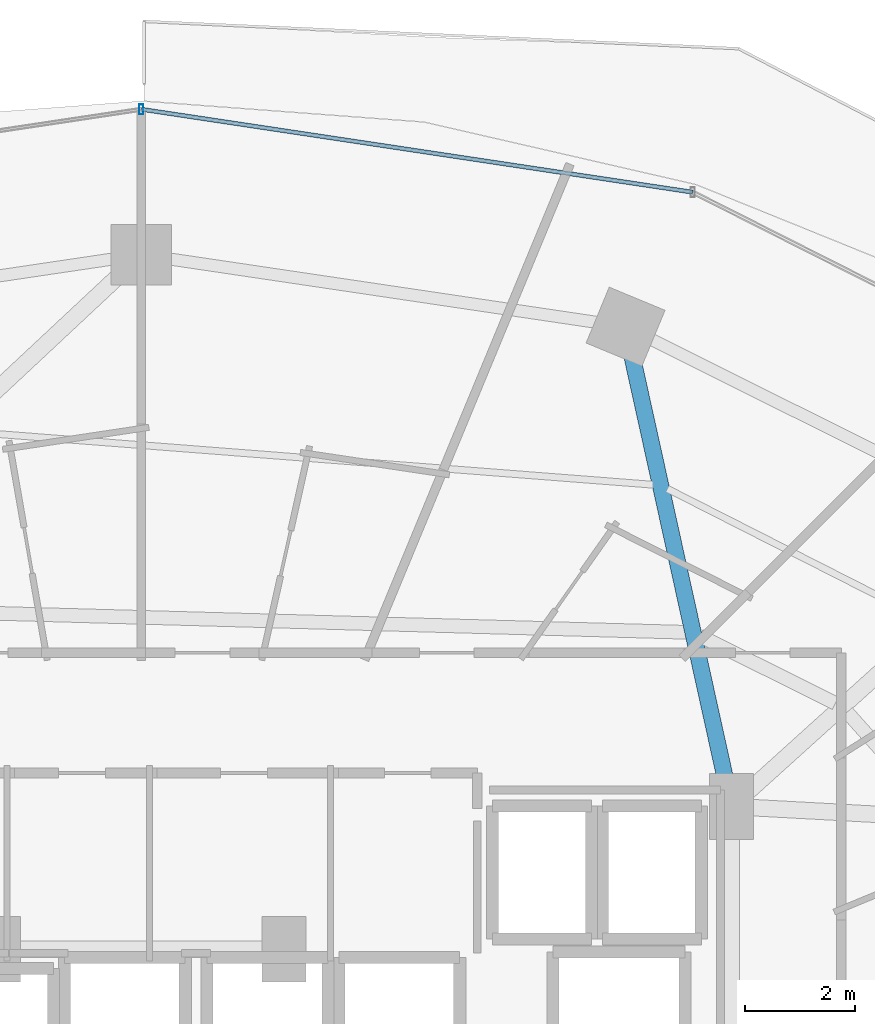
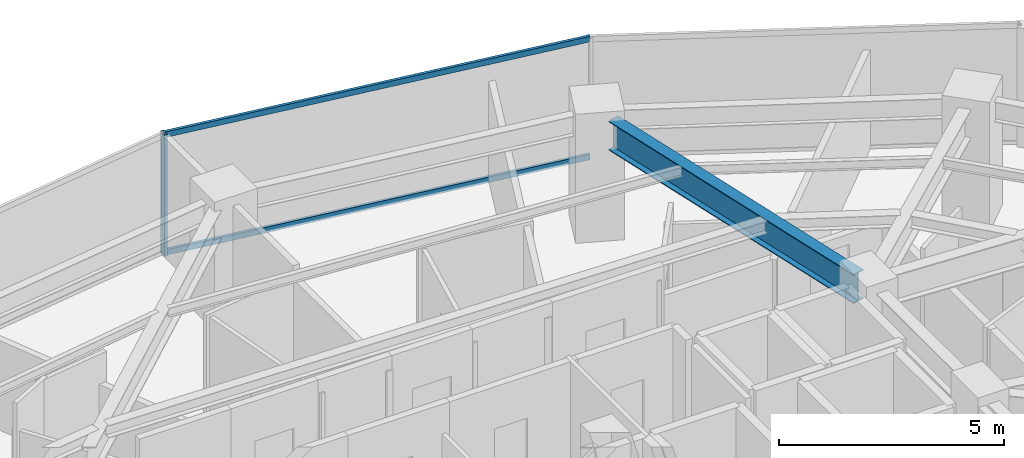
# One storey, part 21 of 31: 3 members, 1 beam, 1 element without a shape of its own.
"""IFC4 building model written with IfcOpenShell, lengths in metres."""

from ifc_helpers import new_model, si_unit, direction, frame, origin, origin_2d, place, context, subcontext, project, spatial, hollow_rectangle, i_section, extrude, material, material_profile, profile_set, type_object, element, aggregate, save


model = new_model("IFC4")

# Units and contexts
model_context = context("Model", 3, precision=1e-05, world=origin(), true_north=direction((0.0, 1.0)))
body_context = subcontext(model_context, "Body", "Model", "MODEL_VIEW")
ifc_project = project(units=[si_unit("LENGTHUNIT", "METRE"), si_unit("AREAUNIT", "SQUARE_METRE"), si_unit("VOLUMEUNIT", "CUBIC_METRE"), si_unit("PLANEANGLEUNIT", "RADIAN"), si_unit("MASSUNIT", "GRAM", prefix="KILO")], contexts=[model_context])

# Site, building, storey
site_placement = place(None, origin())
site = spatial("IfcSite", under=ifc_project, at=site_placement, CompositionType="ELEMENT")
building_placement = place(site_placement, origin())
building = spatial("IfcBuilding", under=site, at=building_placement, Name="Vorneva Point Tower", CompositionType="ELEMENT")
storey_placement = place(building_placement, frame((0.0, 0.0, 103.300048828125)))
storey = spatial("IfcBuildingStorey", under=building, at=storey_placement, Name="L27", CompositionType="ELEMENT", Elevation=103.300048828125)

# Beam
ifc_material_1 = material(Name="Steel S355", Category="steel")
ifc_material_profile_1 = material_profile(ifc_material_1, i_section(OverallWidth=0.300048828125, OverallDepth=0.7880859375, WebThickness=0.014404296875, FlangeThickness=0.02197265625, at=origin_2d()), Name="80Sh1")
ifc_profile_set_1 = profile_set([ifc_material_profile_1], Name="Steel S355")
beam_type = type_object("IfcBeamType", Name="BM-GRD-80Sh1", PredefinedType="USERDEFINED", material=ifc_profile_set_1)
beam_placement = place(storey_placement, frame((46.936767578125, 41.365234375, 2.845947265625), z_axis=(0.215530944428, -0.976497010745, 0.0), x_axis=(0.976497010745, 0.215530944428, 0.0)))
element("IfcBeam", 1, at=beam_placement, inside=storey, type_object=beam_type, Name="L27 Radial Primary Girder 04", ObjectType="GIRDER", PredefinedType="USERDEFINED", context=body_context, shape_type="SweptSolid", body=[
    extrude(i_section(OverallWidth=0.300048828125, OverallDepth=0.7880859375, WebThickness=0.014404296875, FlangeThickness=0.02197265625, at=origin_2d()), origin(), (0.0, 0.0, 1.0), 8.072998046875),
])

# Curtain wall, members
ifc_material_2 = material(Name="Pale anodised aluminium", Category="aluminium")
curtain_wall_type = type_object("IfcCurtainWallType", Name="CW-HTL-SYS", PredefinedType="NOTDEFINED", material=ifc_material_2)
curtain_wall_placement = place(storey_placement, origin())
curtain_wall = element("IfcCurtainWall", 2, at=curtain_wall_placement, inside=storey, type_object=curtain_wall_type, Name="L27 Unitised Curtain Wall CW-L27-R02", PredefinedType="NOTDEFINED")
ifc_material_profile_2 = material_profile(ifc_material_2, hollow_rectangle(XDim=0.074951171875, YDim=0.179931640625, WallThickness=0.00390625, at=origin_2d()), Name="AL-MUL 180x75x4")
ifc_profile_set_2 = profile_set([ifc_material_profile_2], Name="Pale anodised aluminium")
member_type_1 = type_object("IfcMemberType", Name="CW-MUL-180", PredefinedType="MULLION", material=ifc_profile_set_2)
member_1_placement = place(storey_placement, frame((38.0, 45.85009765625, -0.0400390625), z_axis=(0.0, 0.0, 1.0), x_axis=(1.0, 0.0, 0.0)))
member_1 = element("IfcMember", 3, at=member_1_placement, type_object=member_type_1, Name="CW-L27-R02 Mullion 03", PredefinedType="MULLION", context=body_context, shape_type="SweptSolid", body=[
    extrude(hollow_rectangle(XDim=0.074951171875, YDim=0.179931640625, WallThickness=0.00390625, at=origin_2d()), origin(), (0.0, 0.0, 1.0), 3.31005859375),
])
ifc_material_profile_3 = material_profile(ifc_material_2, hollow_rectangle(XDim=0.074951171875, YDim=0.14990234375, WallThickness=0.00390625, at=origin_2d()), Name="AL-TRN 150x75x4")
ifc_profile_set_3 = profile_set([ifc_material_profile_3], Name="Pale anodised aluminium")
member_type_2 = type_object("IfcMemberType", Name="CW-TRN-150", PredefinedType="USERDEFINED", material=ifc_profile_set_3)
member_2_placement = place(storey_placement, frame((48.04541015625, 44.339111328125, 0.02001953125), z_axis=(-0.988875982167, 0.148742367512, 0.0), x_axis=(-0.148742367512, -0.988875982167, 0.0)))
member_2 = element("IfcMember", 4, at=member_2_placement, type_object=member_type_2, Name="CW-L27-R02 Transom 02.1", ObjectType="TRANSOM", PredefinedType="USERDEFINED", context=body_context, shape_type="SweptSolid", body=[
    extrude(hollow_rectangle(XDim=0.074951171875, YDim=0.14990234375, WallThickness=0.00390625, at=origin_2d()), origin(), (0.0, 0.0, 1.0), 10.158447265625),
])
member_3_placement = place(storey_placement, frame((48.04541015625, 44.339111328125, 3.219970703125), z_axis=(-0.988875982167, 0.148742367512, 0.0), x_axis=(-0.148742367512, -0.988875982167, 0.0)))
member_3 = element("IfcMember", 5, at=member_3_placement, type_object=member_type_2, Name="CW-L27-R02 Transom 02.2", ObjectType="TRANSOM", PredefinedType="USERDEFINED", context=body_context, shape_type="SweptSolid", body=[
    extrude(hollow_rectangle(XDim=0.074951171875, YDim=0.14990234375, WallThickness=0.00390625, at=origin_2d()), origin(), (0.0, 0.0, 1.0), 10.158447265625),
])
aggregate(curtain_wall, [member_1, member_2, member_3])

save(model, "model.ifc")
